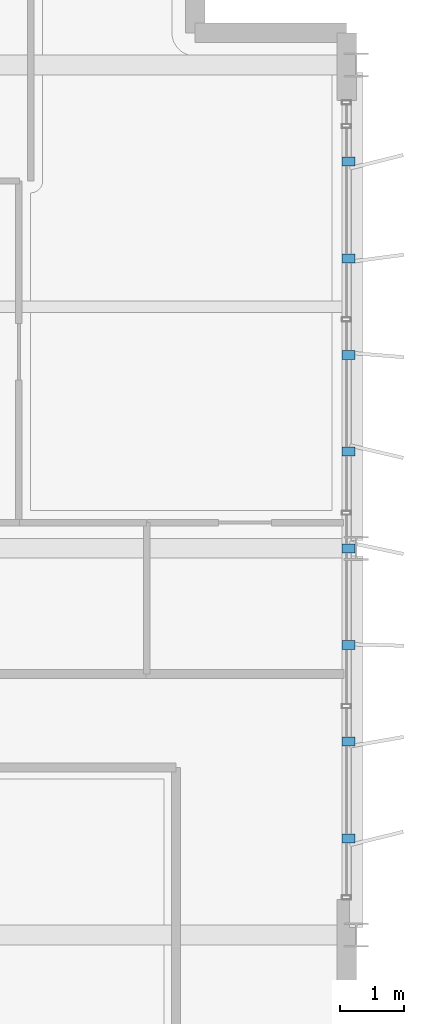
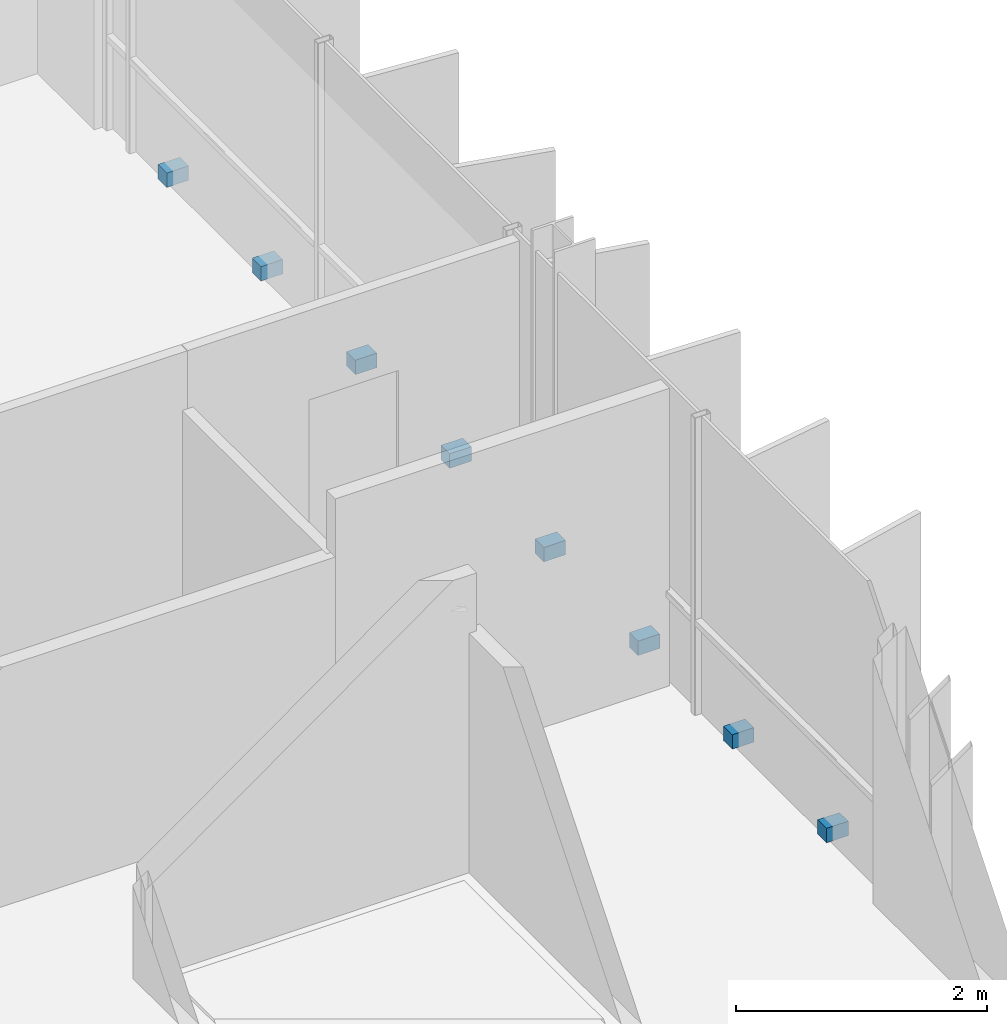
# One storey, part 32 of 35: 8 discrete accessories.
"""IFC4 building model written with IfcOpenShell, lengths in metres."""

from ifc_helpers import new_model, si_unit, direction, frame, origin, origin_2d, place, context, subcontext, project, spatial, rectangle, extrude, material, type_object, element, save


model = new_model("IFC4")

# Units and contexts
model_context = context("Model", 3, precision=1e-05, world=origin(), true_north=direction((0.0, 1.0)))
body_context = subcontext(model_context, "Body", "Model", "MODEL_VIEW")
ifc_project = project(units=[si_unit("LENGTHUNIT", "METRE"), si_unit("AREAUNIT", "SQUARE_METRE"), si_unit("VOLUMEUNIT", "CUBIC_METRE"), si_unit("PLANEANGLEUNIT", "RADIAN"), si_unit("MASSUNIT", "GRAM", prefix="KILO")], contexts=[model_context])

# Site, building, storey
site_placement = place(None, origin())
site = spatial("IfcSite", under=ifc_project, at=site_placement, CompositionType="ELEMENT")
building_placement = place(site_placement, origin())
building = spatial("IfcBuilding", under=site, at=building_placement, Name="Brevholm Reach", CompositionType="ELEMENT")
storey_placement = place(building_placement, frame((0.0, 0.0, 218.0)))
storey = spatial("IfcBuildingStorey", under=building, at=storey_placement, Name="L66", CompositionType="ELEMENT", Elevation=218.0)

# Discrete accessories
ifc_material = material(Name="Duplex Stainless Steel EN 1.4462", Category="steel")
discrete_accessory_type = type_object("IfcDiscreteAccessoryType", Name="ACC-BRK-01", PredefinedType="BRACKET", material=ifc_material)
for number, where, z_axis, x_axis, name in (
    (1, (59.8798828125, 11.5, 0.0302734375), (0.0, 0.0, 1.0), (1.0, 0.0, 0.0), "L66 Solar Screen Support Bracket 1"),
    (2, (59.8798828125, 13.0, 0.0302734375), (0.0, 0.0, 1.0), (1.0, 0.0, 0.0), "L66 Solar Screen Support Bracket 2"),
    (3, (59.8798828125, 14.5, 0.0302734375), (0.0, 0.0, 1.0), (1.0, 0.0, 0.0), "L66 Solar Screen Support Bracket 3"),
    (4, (59.8798828125, 16.0, 0.0302734375), (0.0, 0.0, 1.0), (1.0, 0.0, 0.0), "L66 Solar Screen Support Bracket 4"),
    (5, (59.8798828125, 17.5, 0.0302734375), (0.0, 0.0, 1.0), (1.0, 0.0, 0.0), "L66 Solar Screen Support Bracket 5"),
    (6, (59.8798828125, 19.0, 0.0302734375), (0.0, 0.0, 1.0), (1.0, 0.0, 0.0), "L66 Solar Screen Support Bracket 6"),
    (7, (59.8798828125, 20.5, 0.0302734375), (0.0, 0.0, 1.0), (1.0, 0.0, 0.0), "L66 Solar Screen Support Bracket 7"),
    (8, (59.8798828125, 22.0, 0.0302734375), (0.0, 0.0, 1.0), (1.0, 0.0, 0.0), "L66 Solar Screen Support Bracket 8"),
):
    element("IfcDiscreteAccessory", number, at=place(storey_placement, frame(where, z_axis=z_axis, x_axis=x_axis)), inside=storey, type_object=discrete_accessory_type, Name=name, PredefinedType="BRACKET", context=body_context, shape_type="SweptSolid", body=[
        extrude(rectangle(XDim=0.199951171875, YDim=0.139892578125, at=origin_2d()), origin(), (0.0, 0.0, 1.0), 0.139892578125),
    ])

save(model, "model.ifc")
